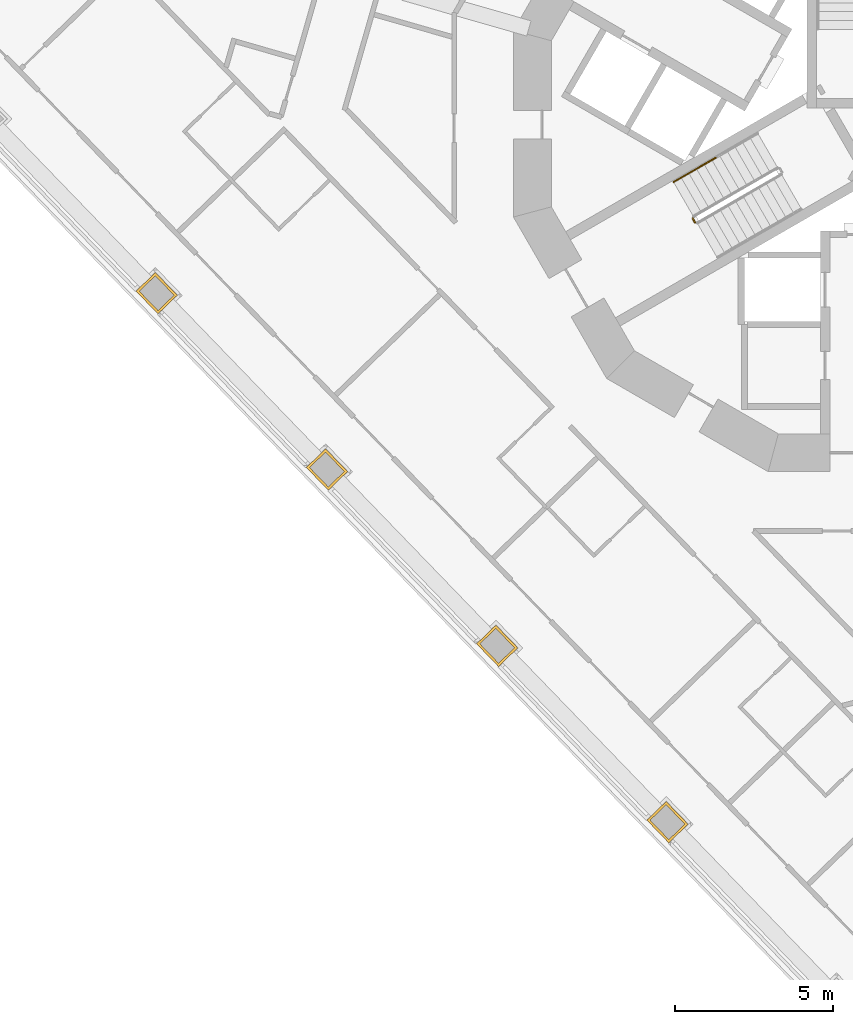
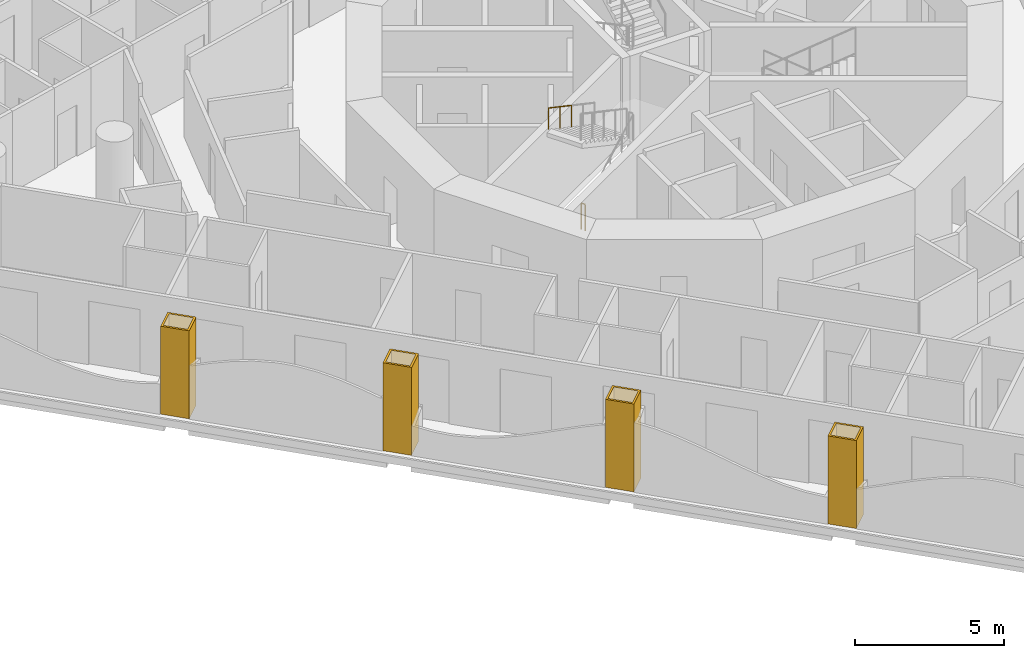
# One storey, part 11 of 18: 4 coverings, 2 railings.
"""IFC4 building model written with IfcOpenShell, lengths in metres."""

from ifc_helpers import new_model, si_unit, direction, frame, origin, origin_2d, place, context, subcontext, project, spatial, polyline, circle, outline, extrude, material, layer, layer_set, type_object, element, save


model = new_model("IFC4")

# Units and contexts
model_context = context("Model", 3, precision=1e-05, world=origin(), true_north=direction((0.0, 1.0)))
body_context = subcontext(model_context, "Body", "Model", "MODEL_VIEW")
ifc_project = project(units=[si_unit("LENGTHUNIT", "METRE"), si_unit("AREAUNIT", "SQUARE_METRE"), si_unit("VOLUMEUNIT", "CUBIC_METRE"), si_unit("PLANEANGLEUNIT", "RADIAN"), si_unit("MASSUNIT", "GRAM", prefix="KILO")], contexts=[model_context])

# Site, building, storey
site_placement = place(None, origin())
site = spatial("IfcSite", under=ifc_project, at=site_placement, CompositionType="ELEMENT")
building_placement = place(site_placement, origin())
building = spatial("IfcBuilding", under=site, at=building_placement, Name="Trine Commons Tower", CompositionType="ELEMENT")
storey_placement = place(building_placement, frame((0.0, 0.0, 90.89990234375)))
storey = spatial("IfcBuildingStorey", under=building, at=storey_placement, Name="L22", CompositionType="ELEMENT", Elevation=90.89990234375)

# Coverings
ifc_material_1 = material(Name="Limestone, honed", Category="masonry")
ifc_layer = layer(ifc_material_1, 0.074951171875)
ifc_layer_set = layer_set([ifc_layer], Name="Limestone, honed")
covering_type = type_object("IfcCoveringType", Name="Limestone column cladding 75", PredefinedType="CLADDING", material=ifc_layer_set)
covering_1_placement = place(storey_placement, origin())
element("IfcCovering", 1, at=covering_1_placement, inside=storey, type_object=covering_type, Name="Limestone pier cladding 3-03", PredefinedType="CLADDING", context=body_context, shape_type="SweptSolid", body=[
    extrude(outline(polyline([(73.8212890625, 41.0517578125), (73.209716796875, 40.461181640625), (73.904296875, 39.741943359375), (74.515869140625, 40.33251953125), (73.8212890625, 41.0517578125)]), holes=[polyline([(73.8193359375, 40.945556640625), (73.31591796875, 40.45947265625), (73.90625, 39.847900390625), (74.409912109375, 40.334228515625), (73.8193359375, 40.945556640625)])]), origin(), (0.0, 0.0, 1.0), 3.60009765625),
])
covering_2_placement = place(storey_placement, origin())
element("IfcCovering", 2, at=covering_2_placement, inside=storey, type_object=covering_type, Name="Limestone pier cladding 3-04", PredefinedType="CLADDING", context=body_context, shape_type="SweptSolid", body=[
    extrude(outline(polyline([(68.432373046875, 46.632080078125), (67.82080078125, 46.04150390625), (68.515380859375, 45.322265625), (69.126953125, 45.912841796875), (68.432373046875, 46.632080078125)]), holes=[polyline([(68.430419921875, 46.52587890625), (67.927001953125, 46.039794921875), (68.517333984375, 45.428466796875), (69.02099609375, 45.91455078125), (68.430419921875, 46.52587890625)])]), origin(), (0.0, 0.0, 1.0), 3.60009765625),
])
covering_3_placement = place(storey_placement, origin())
element("IfcCovering", 3, at=covering_3_placement, inside=storey, type_object=covering_type, Name="Limestone pier cladding 3-05", PredefinedType="CLADDING", context=body_context, shape_type="SweptSolid", body=[
    extrude(outline(polyline([(63.04345703125, 52.21240234375), (62.431884765625, 51.6220703125), (63.126708984375, 50.902587890625), (63.738037109375, 51.4931640625), (63.04345703125, 52.21240234375)]), holes=[polyline([(63.04150390625, 52.1064453125), (62.5380859375, 51.6201171875), (63.12841796875, 51.0087890625), (63.632080078125, 51.4951171875), (63.04150390625, 52.1064453125)])]), origin(), (0.0, 0.0, 1.0), 3.60009765625),
])
covering_4_placement = place(storey_placement, origin())
element("IfcCovering", 4, at=covering_4_placement, inside=storey, type_object=covering_type, Name="Limestone pier cladding 3-06", PredefinedType="CLADDING", context=body_context, shape_type="SweptSolid", body=[
    extrude(outline(polyline([(57.654296875, 57.792724609375), (57.04296875, 57.202392578125), (57.737548828125, 56.48291015625), (58.34912109375, 57.073486328125), (57.654296875, 57.792724609375)]), holes=[polyline([(57.652587890625, 57.686767578125), (57.14892578125, 57.200439453125), (57.739501953125, 56.589111328125), (58.242919921875, 57.0751953125), (57.652587890625, 57.686767578125)])]), origin(), (0.0, 0.0, 1.0), 3.60009765625),
])

# Railings
ifc_material_2 = material(Name="Stainless steel balustrade", Category="steel")
railing_type_1 = type_object("IfcRailingType", Name="Stair guard, steel balustrade 1100", PredefinedType="GUARDRAIL", material=ifc_material_2)
railing_1_placement = place(storey_placement, frame((74.73681640625, 59.374755859375, 0.0)))
element("IfcRailing", 5, at=railing_1_placement, inside=storey, type_object=railing_type_1, Name="L22 ST2A stair guard 4", PredefinedType="GUARDRAIL", context=body_context, shape_type="SweptSolid", body=[
    extrude(circle(Radius=0.02392578125, at=origin_2d()), frame((0.0, 0.0, 1.076171875), z_axis=(-0.499816412211, 0.866131372301, 0.0), x_axis=(-0.866131372301, -0.499816412211, 0.0)), (0.0, 0.0, 1.0), 0.14990234375),
    extrude(circle(Radius=0.02099609375, at=origin_2d()), origin(), (0.0, 0.0, 1.0), 1.052001953125),
    extrude(circle(Radius=0.02099609375, at=origin_2d()), frame((-0.074951171875, 0.1298828125, 0.0)), (0.0, 0.0, 1.0), 1.052001953125),
])
ifc_material_3 = material(Name="Stainless steel handrail", Category="steel")
railing_type_2 = type_object("IfcRailingType", Name="Stair handrail, steel 900", PredefinedType="HANDRAIL", material=ifc_material_3)
railing_2_placement = place(storey_placement, frame((75.388916015625, 61.425537109375, 2.775146484375)))
element("IfcRailing", 6, at=railing_2_placement, inside=storey, type_object=railing_type_2, Name="L22 ST2A stair handrail 4", PredefinedType="HANDRAIL", context=body_context, shape_type="SweptSolid", body=[
    extrude(circle(Radius=0.02099609375, at=origin_2d()), frame((0.0, 0.0, 0.87890625), z_axis=(-0.76340495495, -0.440743040072, 0.472184759798), x_axis=(0.499992328818, -0.866029832698, 0.0)), (0.0, 0.0, 1.0), 1.7470703125),
    extrude(circle(Radius=0.01513671875, at=origin_2d()), origin(), (0.0, 0.0, 1.0), 0.85791015625),
    extrude(circle(Radius=0.01513671875, at=origin_2d()), frame((-0.6669921875, -0.385009765625, 0.41259765625)), (0.0, 0.0, 1.0), 0.85791015625),
    extrude(circle(Radius=0.01513671875, at=origin_2d()), frame((-1.333740234375, -0.77001953125, 0.824951171875)), (0.0, 0.0, 1.0), 0.85791015625),
])

save(model, "model.ifc")
